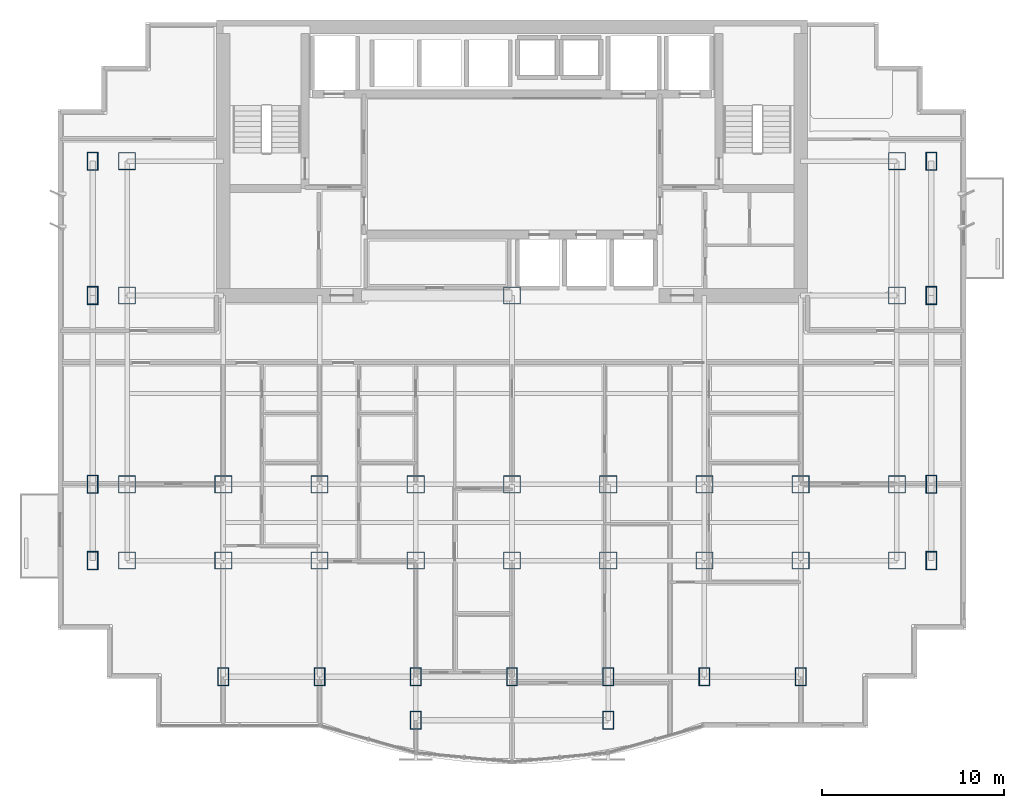
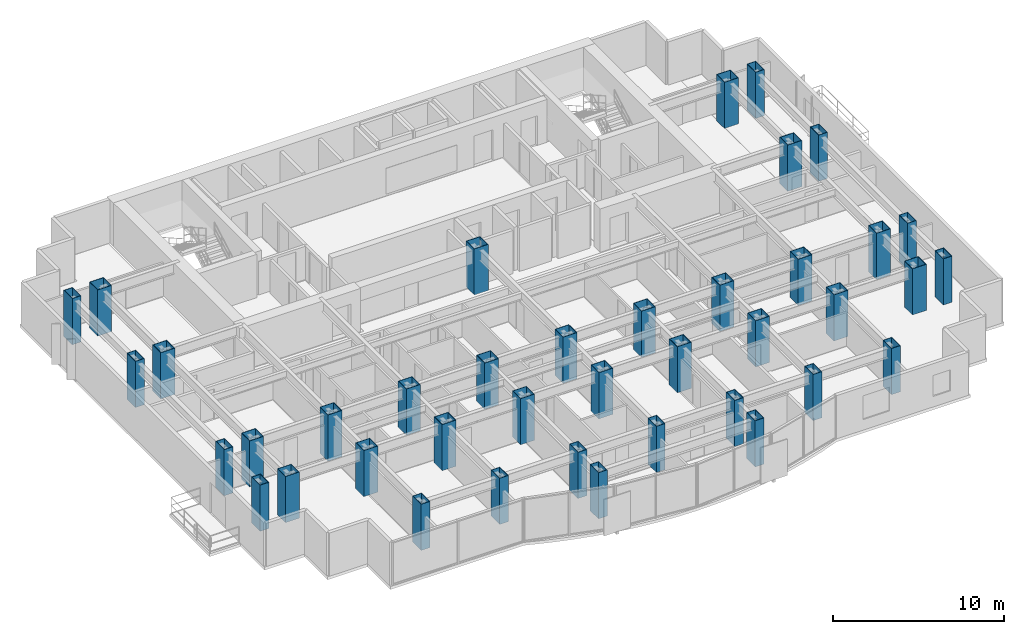
# One storey, part 1 of 10: 40 columns.
"""IFC4 building model written with IfcOpenShell, lengths in metres."""

from ifc_helpers import new_model, si_unit, direction, frame, origin, origin_2d, place, context, subcontext, project, spatial, hollow_rectangle, extrude, material, material_profile, profile_set, type_object, element, save


model = new_model("IFC4")

# Units and contexts
model_context = context("Model", 3, precision=1e-05, world=origin(), true_north=direction((0.0, 1.0)))
body_context = subcontext(model_context, "Body", "Model", "MODEL_VIEW")
ifc_project = project(units=[si_unit("LENGTHUNIT", "METRE"), si_unit("AREAUNIT", "SQUARE_METRE"), si_unit("VOLUMEUNIT", "CUBIC_METRE"), si_unit("PLANEANGLEUNIT", "RADIAN"), si_unit("MASSUNIT", "GRAM", prefix="KILO")], contexts=[model_context])

# Site, building, storey
site_placement = place(None, origin())
site = spatial("IfcSite", under=ifc_project, at=site_placement, CompositionType="ELEMENT")
building_placement = place(site_placement, origin())
building = spatial("IfcBuilding", under=site, at=building_placement, Name="Qianlan Lanfeng Residences", CompositionType="ELEMENT")
storey_placement = place(building_placement, frame((0.0, 0.0, 114.699951171875)))
storey = spatial("IfcBuildingStorey", under=building, at=storey_placement, Name="L31", CompositionType="ELEMENT", Elevation=114.699951171875)

# Columns
ifc_material = material(Name="Steel SN490B", Category="steel")
ifc_material_profile_1 = material_profile(ifc_material, hollow_rectangle(XDim=0.949951171875, YDim=0.949951171875, WallThickness=0.031982421875, at=origin_2d()), Name="BOX 950x950x32")
ifc_profile_set_1 = profile_set([ifc_material_profile_1], Name="Steel SN490B")
column_type_1 = type_object("IfcColumnType", Name="C-B1100", PredefinedType="COLUMN", material=ifc_profile_set_1)
for number, where, z_axis, x_axis, name in (
    (1, (26.5, 25.199951171875, 0.0), (0.0, 0.0, 1.0), (1.0, 0.0, 0.0), "L31 Structural Column CP_26.5_25.2"),
    (2, (10.60009765625, 14.800048828125, 0.0), (0.0, 0.0, 1.0), (1.0, 0.0, 0.0), "L31 Structural Column M_10.60_14.80"),
    (3, (10.60009765625, 10.60009765625, 0.0), (0.0, 0.0, 1.0), (1.0, 0.0, 0.0), "L31 Structural Column G_10.60_10.60"),
    (4, (15.89990234375, 14.800048828125, 0.0), (0.0, 0.0, 1.0), (1.0, 0.0, 0.0), "L31 Structural Column M_15.90_14.80"),
    (5, (15.89990234375, 10.60009765625, 0.0), (0.0, 0.0, 1.0), (1.0, 0.0, 0.0), "L31 Structural Column G_15.90_10.60"),
    (6, (21.199951171875, 14.800048828125, 0.0), (0.0, 0.0, 1.0), (1.0, 0.0, 0.0), "L31 Structural Column M_21.20_14.80"),
    (7, (21.199951171875, 10.60009765625, 0.0), (0.0, 0.0, 1.0), (1.0, 0.0, 0.0), "L31 Structural Column G_21.20_10.60"),
    (8, (26.5, 14.800048828125, 0.0), (0.0, 0.0, 1.0), (1.0, 0.0, 0.0), "L31 Structural Column M_26.50_14.80"),
    (9, (26.5, 10.60009765625, 0.0), (0.0, 0.0, 1.0), (1.0, 0.0, 0.0), "L31 Structural Column G_26.50_10.60"),
    (10, (31.800048828125, 14.800048828125, 0.0), (0.0, 0.0, 1.0), (1.0, 0.0, 0.0), "L31 Structural Column M_31.80_14.80"),
    (11, (31.800048828125, 10.60009765625, 0.0), (0.0, 0.0, 1.0), (1.0, 0.0, 0.0), "L31 Structural Column G_31.80_10.60"),
    (12, (37.10009765625, 14.800048828125, 0.0), (0.0, 0.0, 1.0), (1.0, 0.0, 0.0), "L31 Structural Column M_37.10_14.80"),
    (13, (37.10009765625, 10.60009765625, 0.0), (0.0, 0.0, 1.0), (1.0, 0.0, 0.0), "L31 Structural Column G_37.10_10.60"),
    (14, (42.39990234375, 14.800048828125, 0.0), (0.0, 0.0, 1.0), (1.0, 0.0, 0.0), "L31 Structural Column M_42.40_14.80"),
    (15, (42.39990234375, 10.60009765625, 0.0), (0.0, 0.0, 1.0), (1.0, 0.0, 0.0), "L31 Structural Column G_42.40_10.60"),
    (16, (5.300048828125, 10.60009765625, 0.0), (0.0, 0.0, 1.0), (1.0, 0.0, 0.0), "L31 Structural Column W_5.30_10.60"),
    (17, (5.300048828125, 14.800048828125, 0.0), (0.0, 0.0, 1.0), (1.0, 0.0, 0.0), "L31 Structural Column W_5.30_14.80"),
    (18, (5.300048828125, 25.199951171875, 0.0), (0.0, 0.0, 1.0), (1.0, 0.0, 0.0), "L31 Structural Column W_5.30_25.20"),
    (19, (5.300048828125, 32.60009765625, 0.0), (0.0, 0.0, 1.0), (1.0, 0.0, 0.0), "L31 Structural Column W_5.30_32.60"),
    (20, (47.699951171875, 10.60009765625, 0.0), (0.0, 0.0, 1.0), (1.0, 0.0, 0.0), "L31 Structural Column W_47.70_10.60"),
    (21, (47.699951171875, 14.800048828125, 0.0), (0.0, 0.0, 1.0), (1.0, 0.0, 0.0), "L31 Structural Column W_47.70_14.80"),
    (22, (47.699951171875, 25.199951171875, 0.0), (0.0, 0.0, 1.0), (1.0, 0.0, 0.0), "L31 Structural Column W_47.70_25.20"),
    (23, (47.699951171875, 32.60009765625, 0.0), (0.0, 0.0, 1.0), (1.0, 0.0, 0.0), "L31 Structural Column W_47.70_32.60"),
):
    element("IfcColumn", number, at=place(storey_placement, frame(where, z_axis=z_axis, x_axis=x_axis)), inside=storey, type_object=column_type_1, Name=name, PredefinedType="COLUMN", context=body_context, shape_type="SweptSolid", body=[
        extrude(hollow_rectangle(XDim=0.949951171875, YDim=0.949951171875, WallThickness=0.031982421875, at=origin_2d()), origin(), (0.0, 0.0, 1.0), 3.300048828125),
    ])
ifc_material_profile_2 = material_profile(ifc_material, hollow_rectangle(XDim=0.60009765625, YDim=1.0, WallThickness=0.031982421875, at=origin_2d()), Name="BOX 1000x600x32")
ifc_profile_set_2 = profile_set([ifc_material_profile_2], Name="Steel SN490B")
column_type_2 = type_object("IfcColumnType", Name="CE-B1100", PredefinedType="COLUMN", material=ifc_profile_set_2)
for number, where, z_axis, x_axis, name in (
    (24, (21.199951171875, 1.800048828125, 0.0), (0.0, 0.0, 1.0), (1.0, 0.0, 0.0), "L31 Structural Column P_21.20_1.80"),
    (25, (31.800048828125, 1.800048828125, 0.0), (0.0, 0.0, 1.0), (1.0, 0.0, 0.0), "L31 Structural Column P_31.80_1.80"),
    (26, (10.60009765625, 4.199951171875, 0.0), (0.0, 0.0, 1.0), (1.0, 0.0, 0.0), "L31 Structural Column S_10.60_4.20"),
    (27, (15.89990234375, 4.199951171875, 0.0), (0.0, 0.0, 1.0), (1.0, 0.0, 0.0), "L31 Structural Column S_15.90_4.20"),
    (28, (21.199951171875, 4.199951171875, 0.0), (0.0, 0.0, 1.0), (1.0, 0.0, 0.0), "L31 Structural Column S_21.20_4.20"),
    (29, (26.5, 4.199951171875, 0.0), (0.0, 0.0, 1.0), (1.0, 0.0, 0.0), "L31 Structural Column S_26.50_4.20"),
    (30, (31.800048828125, 4.199951171875, 0.0), (0.0, 0.0, 1.0), (1.0, 0.0, 0.0), "L31 Structural Column S_31.80_4.20"),
    (31, (37.10009765625, 4.199951171875, 0.0), (0.0, 0.0, 1.0), (1.0, 0.0, 0.0), "L31 Structural Column S_37.10_4.20"),
    (32, (42.39990234375, 4.199951171875, 0.0), (0.0, 0.0, 1.0), (1.0, 0.0, 0.0), "L31 Structural Column S_42.40_4.20"),
    (33, (3.39990234375, 10.60009765625, 0.0), (0.0, 0.0, 1.0), (1.0, 0.0, 0.0), "L31 Structural Column W_3.40_10.60"),
    (34, (3.39990234375, 14.800048828125, 0.0), (0.0, 0.0, 1.0), (1.0, 0.0, 0.0), "L31 Structural Column W_3.40_14.80"),
    (35, (3.39990234375, 25.199951171875, 0.0), (0.0, 0.0, 1.0), (1.0, 0.0, 0.0), "L31 Structural Column W_3.40_25.20"),
    (36, (3.39990234375, 32.60009765625, 0.0), (0.0, 0.0, 1.0), (1.0, 0.0, 0.0), "L31 Structural Column W_3.40_32.60"),
    (37, (49.60009765625, 10.60009765625, 0.0), (0.0, 0.0, 1.0), (1.0, 0.0, 0.0), "L31 Structural Column W_49.60_10.60"),
    (38, (49.60009765625, 14.800048828125, 0.0), (0.0, 0.0, 1.0), (1.0, 0.0, 0.0), "L31 Structural Column W_49.60_14.80"),
    (39, (49.60009765625, 25.199951171875, 0.0), (0.0, 0.0, 1.0), (1.0, 0.0, 0.0), "L31 Structural Column W_49.60_25.20"),
    (40, (49.60009765625, 32.60009765625, 0.0), (0.0, 0.0, 1.0), (1.0, 0.0, 0.0), "L31 Structural Column W_49.60_32.60"),
):
    element("IfcColumn", number, at=place(storey_placement, frame(where, z_axis=z_axis, x_axis=x_axis)), inside=storey, type_object=column_type_2, Name=name, PredefinedType="COLUMN", context=body_context, shape_type="SweptSolid", body=[
        extrude(hollow_rectangle(XDim=0.60009765625, YDim=1.0, WallThickness=0.031982421875, at=origin_2d()), origin(), (0.0, 0.0, 1.0), 3.300048828125),
    ])

save(model, "model.ifc")
